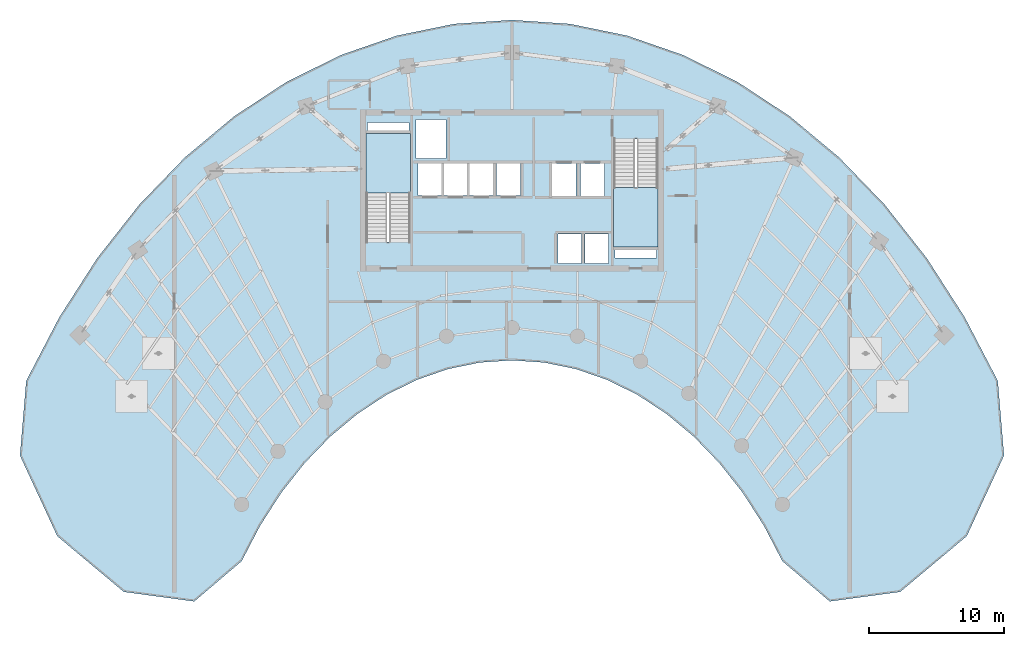
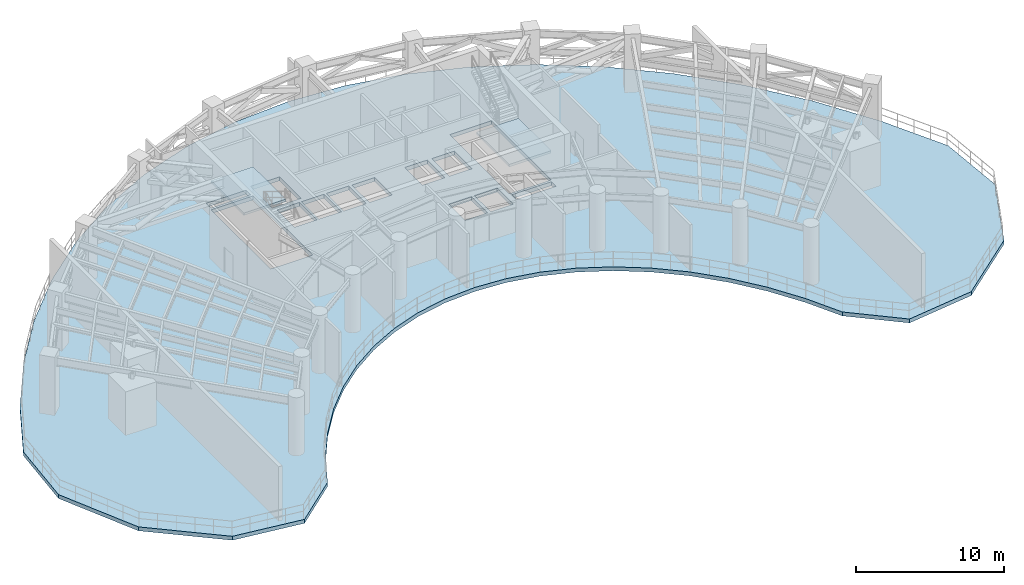
# One storey, part 7 of 24: 3 slabs, 2 elements without a shape of their own.
"""IFC4 building model written with IfcOpenShell, lengths in metres."""

from ifc_helpers import new_model, si_unit, direction, frame, origin, place, context, subcontext, project, spatial, polyline, outline, extrude, material, layer, layer_set, type_object, element, aggregate, save


model = new_model("IFC4")

# Units and contexts
model_context = context("Model", 3, precision=1e-05, world=origin(), true_north=direction((0.0, 1.0)))
body_context = subcontext(model_context, "Body", "Model", "MODEL_VIEW")
ifc_project = project(units=[si_unit("LENGTHUNIT", "METRE"), si_unit("AREAUNIT", "SQUARE_METRE"), si_unit("VOLUMEUNIT", "CUBIC_METRE"), si_unit("PLANEANGLEUNIT", "RADIAN"), si_unit("MASSUNIT", "GRAM", prefix="KILO")], contexts=[model_context])

# Site, building, storey
site_placement = place(None, origin())
site = spatial("IfcSite", under=ifc_project, at=site_placement, CompositionType="ELEMENT")
building_placement = place(site_placement, origin())
building = spatial("IfcBuilding", under=site, at=building_placement, Name="Breltana Convention Tower", CompositionType="ELEMENT")
storey_placement = place(building_placement, frame((0.0, 0.0, 189.60009765625)))
storey = spatial("IfcBuildingStorey", under=building, at=storey_placement, Name="L46", CompositionType="ELEMENT", Elevation=189.60009765625)

# Slab
ifc_material_1 = material(Name="Concrete C50/60", Category="concrete")
ifc_layer_1 = layer(ifc_material_1, 0.320068359375, Name="Concrete C50/60")
ifc_layer_set_1 = layer_set([ifc_layer_1], Name="Concrete C50/60")
slab_type_1 = type_object("IfcSlabType", Name="SL-PLANT-320", PredefinedType="FLOOR", material=ifc_layer_set_1)
slab_1_placement = place(storey_placement, frame((0.0, 0.0, -0.320068359375)))
element("IfcSlab", 1, at=slab_1_placement, inside=storey, type_object=slab_type_1, Name="L46 Suspended Structural Floor Slab", PredefinedType="FLOOR", context=body_context, shape_type="SweptSolid", body=[
    extrude(outline(polyline([(83.957275390625, 52.10791015625), (81.502685546875, 56.822998046875), (78.704833984375, 61.181396484375), (75.5927734375, 65.138916015625), (72.1982421875, 68.654296875), (68.555908203125, 71.6923828125), (64.703125, 74.2216796875), (60.67919921875, 76.216064453125), (56.525634765625, 77.655517578125), (52.284912109375, 78.525146484375), (48.0, 78.81591796875), (43.715087890625, 78.525146484375), (39.474365234375, 77.655517578125), (35.32080078125, 76.216064453125), (31.296875, 74.2216796875), (27.444091796875, 71.6923828125), (23.8017578125, 68.654296875), (20.4072265625, 65.138916015625), (17.295166015625, 61.181396484375), (14.497314453125, 56.822998046875), (12.042724609375, 52.10791015625), (11.580322265625, 46.57666015625), (14.339599609375, 40.608642578125), (19.266357421875, 36.4833984375), (24.478759765625, 35.776611328125), (27.986083984375, 38.75830078125), (29.352294921875, 41.382568359375), (30.909423828125, 43.80859375), (32.6416015625, 46.01123046875), (34.53125, 47.968017578125), (36.55859375, 49.658935546875), (38.702880859375, 51.066650390625), (40.942626953125, 52.177001953125), (43.254638671875, 52.97802734375), (45.614990234375, 53.462158203125), (48.0, 53.6240234375), (50.385009765625, 53.462158203125), (52.745361328125, 52.97802734375), (55.057373046875, 52.177001953125), (57.297119140625, 51.066650390625), (59.44140625, 49.658935546875), (61.46875, 47.968017578125), (63.3583984375, 46.01123046875), (65.090576171875, 43.80859375), (66.647705078125, 41.382568359375), (68.013916015625, 38.75830078125), (71.521240234375, 35.776611328125), (76.733642578125, 36.4833984375), (81.660400390625, 40.608642578125), (84.419677734375, 46.57666015625), (83.957275390625, 52.10791015625)]), holes=[polyline([(37.199951171875, 62.385009765625), (40.469970703125, 62.385009765625), (40.469970703125, 70.39990234375), (37.199951171875, 70.39990234375), (37.199951171875, 62.385009765625)]), polyline([(55.530029296875, 62.0), (58.800048828125, 62.0), (58.800048828125, 70.014892578125), (55.530029296875, 70.014892578125), (55.530029296875, 62.0)]), polyline([(51.39990234375, 60.800048828125), (53.159912109375, 60.800048828125), (53.159912109375, 62.97998046875), (51.39990234375, 62.97998046875), (51.39990234375, 60.800048828125)]), polyline([(53.39990234375, 60.800048828125), (55.159912109375, 60.800048828125), (55.159912109375, 62.97998046875), (53.39990234375, 62.97998046875), (53.39990234375, 60.800048828125)]), polyline([(41.0400390625, 65.820068359375), (42.800048828125, 65.820068359375), (42.800048828125, 68.179931640625), (41.0400390625, 68.179931640625), (41.0400390625, 65.820068359375)]), polyline([(42.93994140625, 65.820068359375), (44.699951171875, 65.820068359375), (44.699951171875, 68.179931640625), (42.93994140625, 68.179931640625), (42.93994140625, 65.820068359375)]), polyline([(44.8701171875, 65.820068359375), (46.6298828125, 65.820068359375), (46.6298828125, 68.179931640625), (44.8701171875, 68.179931640625), (44.8701171875, 65.820068359375)]), polyline([(46.8701171875, 65.820068359375), (48.6298828125, 65.820068359375), (48.6298828125, 68.179931640625), (46.8701171875, 68.179931640625), (46.8701171875, 65.820068359375)]), polyline([(50.969970703125, 65.800048828125), (52.72998046875, 65.800048828125), (52.72998046875, 68.179931640625), (50.969970703125, 68.179931640625), (50.969970703125, 65.800048828125)]), polyline([(53.070068359375, 65.800048828125), (54.830078125, 65.800048828125), (54.830078125, 68.179931640625), (53.070068359375, 68.179931640625), (53.070068359375, 65.800048828125)]), polyline([(40.8798828125, 68.550048828125), (43.1201171875, 68.550048828125), (43.1201171875, 71.449951171875), (40.8798828125, 71.449951171875), (40.8798828125, 68.550048828125)]), polyline([(37.300048828125, 70.60009765625), (40.3798828125, 70.60009765625), (40.3798828125, 71.219970703125), (37.300048828125, 71.219970703125), (37.300048828125, 70.60009765625)]), polyline([(55.6201171875, 61.179931640625), (58.699951171875, 61.179931640625), (58.699951171875, 61.800048828125), (55.6201171875, 61.800048828125), (55.6201171875, 61.179931640625)])]), origin(), (0.0, 0.0, 1.0), 0.320068359375),
])

# Stair, slab
ifc_material_2 = material(Name="Concrete C40/50", Category="concrete")
stair_type = type_object("IfcStairType", Name="ST-DOG-1560-R171", PredefinedType="HALF_TURN_STAIR", material=ifc_material_2)
stair_1_placement = place(storey_placement, origin())
stair_1 = element("IfcStair", 2, at=stair_1_placement, inside=storey, type_object=stair_type, Name="L46 Protected Core Exit Stair ST-1", PredefinedType="HALF_TURN_STAIR")
ifc_layer_2 = layer(ifc_material_2, 0.199951171875, Name="Concrete C40/50")
ifc_layer_set_2 = layer_set([ifc_layer_2], Name="Concrete C40/50")
slab_type_2 = type_object("IfcSlabType", Name="SL-STAIR-LANDING-200", PredefinedType="LANDING", material=ifc_layer_set_2)
slab_2_placement = place(storey_placement, frame((0.0, 0.0, 2.199951171875)))
slab_2 = element("IfcSlab", 3, at=slab_2_placement, type_object=slab_type_2, Name="ST-1 landing 1", PredefinedType="LANDING", context=body_context, shape_type="SweptSolid", body=[
    extrude(outline(polyline([(40.469970703125, 66.0), (40.469970703125, 70.39990234375), (37.199951171875, 70.39990234375), (37.199951171875, 66.0), (40.469970703125, 66.0)])), origin(), (0.0, 0.0, 1.0), 0.199951171875),
])
aggregate(stair_1, [slab_2])

stair_2_placement = place(storey_placement, origin())
stair_2 = element("IfcStair", 4, at=stair_2_placement, inside=storey, type_object=stair_type, Name="L46 Protected Core Exit Stair ST-2", PredefinedType="HALF_TURN_STAIR")
slab_3_placement = place(storey_placement, frame((0.0, 0.0, 2.199951171875)))
slab_3 = element("IfcSlab", 5, at=slab_3_placement, type_object=slab_type_2, Name="ST-2 landing 1", PredefinedType="LANDING", context=body_context, shape_type="SweptSolid", body=[
    extrude(outline(polyline([(55.530029296875, 66.39990234375), (55.530029296875, 62.0), (58.800048828125, 62.0), (58.800048828125, 66.39990234375), (55.530029296875, 66.39990234375)])), origin(), (0.0, 0.0, 1.0), 0.199951171875),
])
aggregate(stair_2, [slab_3])

save(model, "model.ifc")
